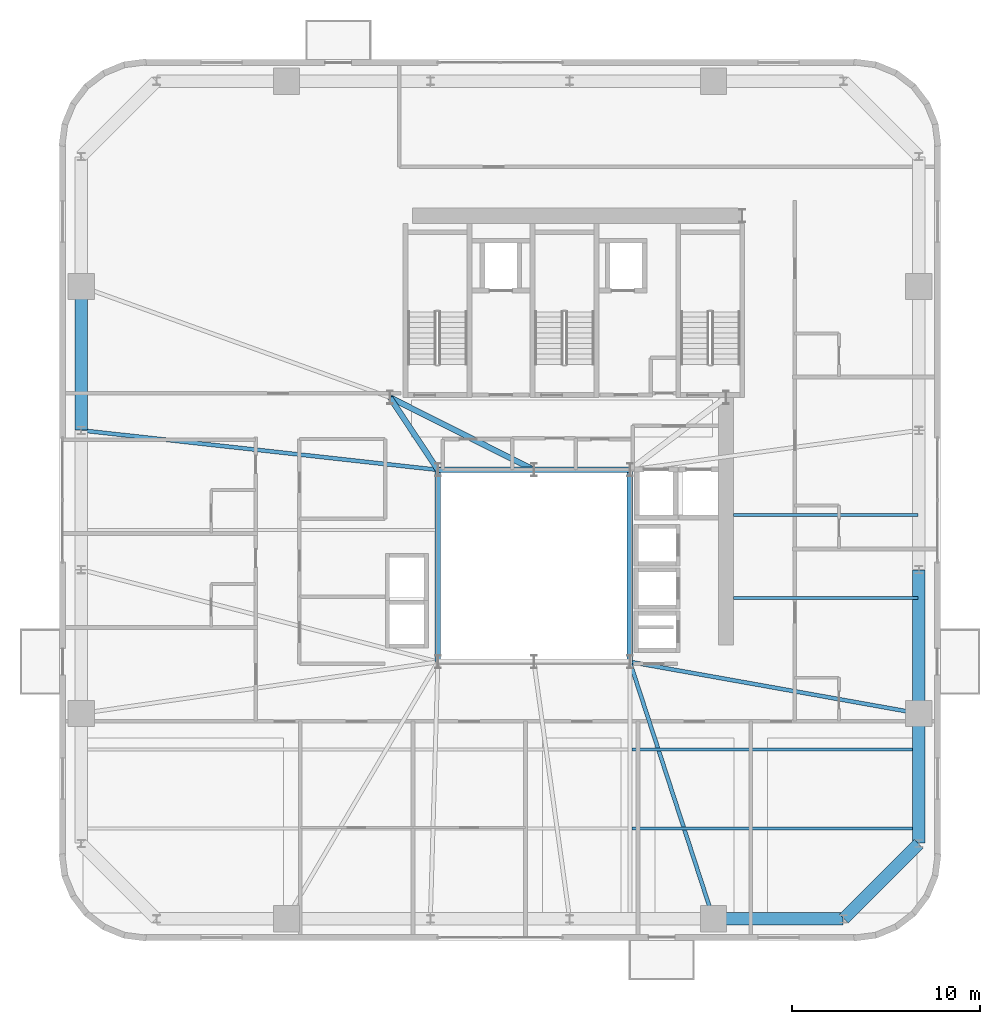
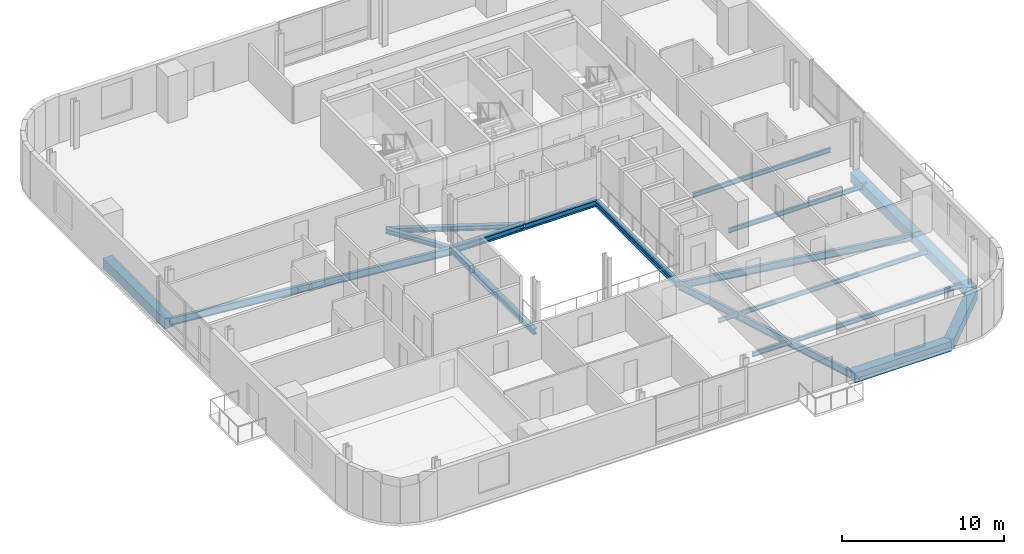
# One storey, part 4 of 15: 18 beams.
"""IFC4 building model written with IfcOpenShell, lengths in metres."""

import ifcopenshell
import ifcopenshell.guid

model = None  # the IFC model being written
_history = None  # IfcOwnerHistory: only IFC2X3 demands one
_inside = {}  # id of a spatial element -> (the spatial element, [elements in it])
_under = {}  # id of a project, library or spatial element -> (it, [spatial elements below it])
_declared = {}  # id of a project -> (the project, [libraries it declares])
_typed = {}  # id of a type object -> (the type object, [elements of that type])
_made_of = {}  # id of a material, layer set ... -> (it, [elements and type objects made of it])


def new_model(schema):
    """Start an empty IFC model of exactly this schema.

    Asked for "IFC4X3", IfcOpenShell would pick the latest addendum, in which some entities
    have other attributes; the version numbers below select the first issue.
    IFC2X3 requires an IfcOwnerHistory on every rooted entity: one is made here for all.
    """
    global model, _history
    if schema == "IFC4X3":
        model = ifcopenshell.file(schema_version=(4, 3, 0, 0))
    else:
        model = ifcopenshell.file(schema=schema)
    _inside.clear()
    _under.clear()
    _declared.clear()
    _typed.clear()
    _made_of.clear()
    _history = None
    if model.schema == "IFC2X3":
        org = make("IfcOrganization", Name="unknown")
        user = make(
            "IfcPersonAndOrganization",
            ThePerson=make("IfcPerson", FamilyName="unknown"),
            TheOrganization=org,
        )
        app = make(
            "IfcApplication",
            ApplicationDeveloper=org,
            Version="unknown",
            ApplicationFullName="unknown",
            ApplicationIdentifier="unknown",
        )
        _history = make(
            "IfcOwnerHistory",
            OwningUser=user,
            OwningApplication=app,
            ChangeAction="ADDED",
            CreationDate=0,
        )
    return model


def make(cls, **values):
    """One entity of the class cls with the attributes given. An attribute that is None is left unset."""
    return model.create_entity(
        cls, **{name: value for name, value in values.items() if value is not None}
    )


def rooted(cls, **values):
    """An entity with a GlobalId (a new one), such as an element, a storey or a relation."""
    return make(cls, GlobalId=ifcopenshell.guid.new(), OwnerHistory=_history, **values)


def si_unit(unit_type, name, prefix=None):
    """IfcSIUnit, for example si_unit("LENGTHUNIT", "METRE", prefix="MILLI")."""
    return make("IfcSIUnit", UnitType=unit_type, Prefix=prefix, Name=name)


def assignment(units):
    """IfcUnitAssignment: the units of a project."""
    return None if units is None else make("IfcUnitAssignment", Units=units)


def point(xyz):
    """IfcCartesianPoint."""
    return None if xyz is None else make("IfcCartesianPoint", Coordinates=xyz)


def direction(xyz):
    """IfcDirection."""
    return None if xyz is None else make("IfcDirection", DirectionRatios=xyz)


def frame(location, z_axis=None, x_axis=None):
    """IfcAxis2Placement3D, a coordinate frame: its origin and axes. An axis left out is left unset."""
    return make(
        "IfcAxis2Placement3D",
        Location=point(location),
        Axis=direction(z_axis),
        RefDirection=direction(x_axis),
    )


def frame_2d(location, x_axis=None):
    """IfcAxis2Placement2D, a coordinate frame in the plane: its origin and x axis."""
    return make(
        "IfcAxis2Placement2D", Location=point(location), RefDirection=direction(x_axis)
    )


def origin():
    """The frame at (0, 0, 0) with its axes left unset."""
    return frame((0.0, 0.0, 0.0))


def origin_2d():
    """The frame at (0, 0) in the plane with its x axis left unset."""
    return frame_2d((0.0, 0.0))


def place(relative_to, where):
    """IfcLocalPlacement: puts the frame where relative to a parent placement (None: the world)."""
    return make(
        "IfcLocalPlacement", PlacementRelTo=relative_to, RelativePlacement=where
    )


def context(
    kind, dimensions, precision=None, world=None, true_north=None, identifier=None
):
    """IfcGeometricRepresentationContext, for example the 3D "Model" context."""
    return make(
        "IfcGeometricRepresentationContext",
        ContextIdentifier=identifier,
        ContextType=kind,
        CoordinateSpaceDimension=dimensions,
        Precision=precision,
        WorldCoordinateSystem=world,
        TrueNorth=true_north,
    )


def subcontext(parent, identifier, kind, view, scale=None):
    """IfcGeometricRepresentationSubContext, for example "Body" below "Model"."""
    return make(
        "IfcGeometricRepresentationSubContext",
        ContextIdentifier=identifier,
        ContextType=kind,
        ParentContext=parent,
        TargetScale=scale,
        TargetView=view,
    )


def project(units=None, contexts=None):
    """IfcProject with its units and contexts."""
    return rooted(
        "IfcProject",
        Name="project",
        RepresentationContexts=contexts,
        UnitsInContext=assignment(units),
    )


def spatial(cls, under=None, at=None, **own):
    """A site, building, storey or space (cls), placed at a placement, below another one or the project."""
    s = rooted(cls, ObjectPlacement=at, **own)
    if under is not None:
        _under.setdefault(under.id(), (under, []))[1].append(s)
    return s


def profile(cls, at=None, kind="AREA", **sizes):
    """A parametric profile (cls). Its sizes go by their IFC names, for example OverallWidth=200.0."""
    return make(cls, ProfileType=kind, Position=at, **sizes)


def rectangle(**sizes):
    """IfcRectangleProfileDef."""
    return profile("IfcRectangleProfileDef", **sizes)


def i_section(**sizes):
    """IfcIShapeProfileDef."""
    return profile("IfcIShapeProfileDef", **sizes)


def extrude(swept, where, along, depth):
    """IfcExtrudedAreaSolid: the profile swept, set in the frame where, extruded along a direction by depth."""
    return make(
        "IfcExtrudedAreaSolid",
        SweptArea=swept,
        Position=where,
        ExtrudedDirection=direction(along),
        Depth=depth,
    )


def shape(context_of_items, identifier, shape_type, items):
    """IfcShapeRepresentation: the items that make up one representation, for example the "Body"."""
    return make(
        "IfcShapeRepresentation",
        ContextOfItems=context_of_items,
        RepresentationIdentifier=identifier,
        RepresentationType=shape_type,
        Items=items,
    )


def source(mapping_origin, context_of_items, identifier, shape_type, items):
    """IfcRepresentationMap: a shape defined once, which mapped items show again and again."""
    return make(
        "IfcRepresentationMap",
        MappingOrigin=mapping_origin,
        MappedRepresentation=shape(context_of_items, identifier, shape_type, items),
    )


def transform(
    local_origin,
    x_axis=None,
    y_axis=None,
    z_axis=None,
    scale=None,
    scale2=None,
    scale3=None,
    uniform=True,
):
    """IfcCartesianTransformationOperator3D, or its non-uniform kind. x_axis, y_axis, z_axis: its Axis1, 2, 3."""
    if uniform:
        return make(
            "IfcCartesianTransformationOperator3D",
            Axis1=direction(x_axis),
            Axis2=direction(y_axis),
            LocalOrigin=point(local_origin),
            Scale=scale,
            Axis3=direction(z_axis),
        )
    return make(
        "IfcCartesianTransformationOperator3DnonUniform",
        Axis1=direction(x_axis),
        Axis2=direction(y_axis),
        LocalOrigin=point(local_origin),
        Scale=scale,
        Axis3=direction(z_axis),
        Scale2=scale2,
        Scale3=scale3,
    )


def mapped(mapping_source, mapping_target):
    """IfcMappedItem: shows the shape of a source again, moved by a transform."""
    return make(
        "IfcMappedItem", MappingSource=mapping_source, MappingTarget=mapping_target
    )


def material(Name=None, Category=None):
    """IfcMaterial."""
    return make("IfcMaterial", Name=Name, Category=Category)


def material_profile(
    of_material, cross_section, Name=None, Category=None, Priority=None
):
    """IfcMaterialProfile: a cross section and its material."""
    return make(
        "IfcMaterialProfile",
        Name=Name,
        Material=of_material,
        Profile=cross_section,
        Priority=Priority,
        Category=Category,
    )


def profile_set(profiles, Name=None, composite=None):
    """IfcMaterialProfileSet."""
    return make(
        "IfcMaterialProfileSet",
        Name=Name,
        MaterialProfiles=profiles,
        CompositeProfile=composite,
    )


def made_of(thing, what):
    """Note that an element or type object is made of a material, layer set ...; save() writes the relation."""
    if what is not None:
        _made_of.setdefault(what.id(), (what, []))[1].append(thing)
    return thing


def type_object(cls, material=None, **own):
    """A type object (cls), such as IfcWallType, which elements share."""
    return made_of(rooted(cls, **own), material)


def element(
    cls,
    number,
    at=None,
    inside=None,
    cuts=None,
    type_object=None,
    material=None,
    context=None,
    identifier="Body",
    shape_type=None,
    held_by="IfcProductDefinitionShape",
    body=None,
    shapes=None,
    **own,
):
    """One element of the class cls, such as IfcWall. Its Tag is "e" and its number.

    at: its placement. inside: the storey or other place that contains it. cuts: it is an
    opening in that element (IfcRelVoidsElement). A single representation is given by context,
    identifier, shape_type and body (its items); several are given by shapes. held_by: the class
    of the entity that holds the representations. save() writes the other relations.
    """
    e = rooted(cls, Tag="e%d" % number, ObjectPlacement=at, **own)
    if body is not None:
        shapes = [shape(context, identifier, shape_type, body)]
    if shapes is not None:
        e.Representation = make(held_by, Representations=shapes)
    if inside is not None:
        _inside.setdefault(inside.id(), (inside, []))[1].append(e)
    if cuts is not None:
        rooted(
            "IfcRelVoidsElement", RelatingBuildingElement=cuts, RelatedOpeningElement=e
        )
    if type_object is not None:
        _typed.setdefault(type_object.id(), (type_object, []))[1].append(e)
    return made_of(e, material)


def aggregate(whole, parts):
    """IfcRelAggregates: a whole, such as a stair, and the parts it consists of."""
    return rooted("IfcRelAggregates", RelatingObject=whole, RelatedObjects=parts)


def save(model, path):
    """Write the relations noted so far, then the file.

    IfcRelAggregates (storeys below a building ...), IfcRelContainedInSpatialStructure (elements
    in a storey), IfcRelDefinesByType, IfcRelAssociatesMaterial and IfcRelDeclares: one each for
    every whole, place, type object, material and project.
    """
    for whole, parts in _under.values():
        aggregate(whole, parts)
    for where, things in _inside.values():
        rooted(
            "IfcRelContainedInSpatialStructure",
            RelatedElements=things,
            RelatingStructure=where,
        )
    for kind, things in _typed.values():
        rooted("IfcRelDefinesByType", RelatedObjects=things, RelatingType=kind)
    for what, things in _made_of.values():
        rooted("IfcRelAssociatesMaterial", RelatedObjects=things, RelatingMaterial=what)
    for by, libraries in _declared.values():
        rooted("IfcRelDeclares", RelatingContext=by, RelatedDefinitions=libraries)
    model.write(path)


model = new_model("IFC4")

# Units and contexts
model_context = context("Model", 3, precision=1e-05, world=origin(), true_north=direction((0.0, 1.0)))
body_context = subcontext(model_context, "Body", "Model", "MODEL_VIEW")
ifc_project = project(units=[si_unit("LENGTHUNIT", "METRE"), si_unit("AREAUNIT", "SQUARE_METRE"), si_unit("VOLUMEUNIT", "CUBIC_METRE"), si_unit("PLANEANGLEUNIT", "RADIAN"), si_unit("MASSUNIT", "GRAM", prefix="KILO")], contexts=[model_context])

# Site, building, storey
site_placement = place(None, origin())
site = spatial("IfcSite", under=ifc_project, at=site_placement, CompositionType="ELEMENT")
building_placement = place(site_placement, origin())
building = spatial("IfcBuilding", under=site, at=building_placement, Name="Vardaveli Station Tower", CompositionType="ELEMENT")
storey_placement = place(building_placement, frame((0.0, 0.0, 207.300048828125)))
storey = spatial("IfcBuildingStorey", under=building, at=storey_placement, Name="L53", CompositionType="ELEMENT", Elevation=207.300048828125)

# Beams
ifc_material_1 = material(Name="Structural steel S355J2", Category="steel")
ifc_material_profile_1 = material_profile(ifc_material_1, i_section(OverallWidth=0.300048828125, OverallDepth=0.449951171875, WebThickness=0.013916015625, FlangeThickness=0.02587890625, FilletRadius=0.027099609375, at=origin_2d()), Name="HEB 450")
ifc_profile_set_1 = profile_set([ifc_material_profile_1], Name="Structural steel S355J2")
beam_type_1 = type_object("IfcBeamType", Name="BM-HEB450", PredefinedType="BEAM", material=ifc_profile_set_1)
shared_shape_1 = source(origin(), body_context, "Body", "SweptSolid", [
    extrude(i_section(OverallWidth=0.300048828125, OverallDepth=0.449951171875, WebThickness=0.013916015625, FlangeThickness=0.02587890625, FilletRadius=0.027099609375, at=origin_2d()), origin(), (0.0, 0.0, 1.0), 5.06005859375),
])
beam_1_placement = place(storey_placement, frame((36.280029296875, 26.800048828125, -0.445068359375), z_axis=(-1.0, 0.0, 0.0), x_axis=(0.0, -1.0, 0.0)))
element("IfcBeam", 1, at=beam_1_placement, inside=storey, type_object=beam_type_1, Name="ABM-L53-05", PredefinedType="BEAM", context=body_context, shape_type="MappedRepresentation", body=[
    mapped(shared_shape_1, transform((0.0, 0.0, 0.0), scale=1.0)),
])
shared_shape_2 = source(origin(), body_context, "Body", "SweptSolid", [
    extrude(i_section(OverallWidth=0.300048828125, OverallDepth=0.449951171875, WebThickness=0.013916015625, FlangeThickness=0.02587890625, FilletRadius=0.027099609375, at=origin_2d()), origin(), (0.0, 0.0, 1.0), 5.059814453125),
])
beam_2_placement = place(storey_placement, frame((41.3798828125, 26.800048828125, -0.445068359375), z_axis=(-1.0, 0.0, 0.0), x_axis=(0.0, -1.0, 0.0)))
element("IfcBeam", 2, at=beam_2_placement, inside=storey, type_object=beam_type_1, Name="ABM-L53-04", PredefinedType="BEAM", context=body_context, shape_type="MappedRepresentation", body=[
    mapped(shared_shape_2, transform((0.0, 0.0, 0.0), scale=1.0)),
])
shared_shape_3 = source(origin(), body_context, "Body", "SweptSolid", [
    extrude(i_section(OverallWidth=0.300048828125, OverallDepth=0.449951171875, WebThickness=0.013916015625, FlangeThickness=0.02587890625, FilletRadius=0.027099609375, at=origin_2d()), origin(), (0.0, 0.0, 1.0), 10.159912109375),
])
for number, where, z_axis, x_axis, name in (
    (3, (41.39990234375, 16.6201171875, -0.445068359375), (0.0, 1.0, 0.0), (-1.0, 0.0, 0.0), "ABM-L53-03"),
    (4, (31.199951171875, 26.780029296875, -0.445068359375), (0.0, -1.0, 0.0), (1.0, 0.0, 0.0), "ABM-L53-06"),
):
    element("IfcBeam", number, at=place(storey_placement, frame(where, z_axis=z_axis, x_axis=x_axis)), inside=storey, type_object=beam_type_1, Name=name, PredefinedType="BEAM", context=body_context, shape_type="MappedRepresentation", body=[
        mapped(shared_shape_3, transform((0.0, 0.0, 0.0), scale=1.0)),
    ])
ifc_material_profile_2 = material_profile(ifc_material_1, i_section(OverallWidth=0.300048828125, OverallDepth=0.360107421875, WebThickness=0.012451171875, FlangeThickness=0.0224609375, FilletRadius=0.027099609375, at=origin_2d()), Name="HEB 360")
ifc_profile_set_2 = profile_set([ifc_material_profile_2], Name="Structural steel S355J2")
beam_type_2 = type_object("IfcBeamType", Name="BM-HEB360", PredefinedType="BEAM", material=ifc_profile_set_2)
shared_shape_4 = source(origin(), body_context, "Body", "SweptSolid", [
    extrude(i_section(OverallWidth=0.300048828125, OverallDepth=0.360107421875, WebThickness=0.012451171875, FlangeThickness=0.0224609375, FilletRadius=0.027099609375, at=origin_2d()), origin(), (0.0, 0.0, 1.0), 4.577880859375),
])
beam_3_placement = place(storey_placement, frame((31.18896484375, 26.816650390625, -0.400146484375), z_axis=(-0.55218702139, 0.833720272879, 0.0), x_axis=(-0.833720272879, -0.55218702139, 0.0)))
element("IfcBeam", 5, at=beam_3_placement, inside=storey, type_object=beam_type_2, Name="CBM-L53-01", PredefinedType="BEAM", context=body_context, shape_type="MappedRepresentation", body=[
    mapped(shared_shape_4, transform((0.0, 0.0, 0.0), scale=1.0)),
])
shared_shape_5 = source(origin(), body_context, "Body", "SweptSolid", [
    extrude(i_section(OverallWidth=0.300048828125, OverallDepth=0.360107421875, WebThickness=0.012451171875, FlangeThickness=0.0224609375, FilletRadius=0.027099609375, at=origin_2d()), origin(), (0.0, 0.0, 1.0), 8.524169921875),
])
beam_4_placement = place(storey_placement, frame((28.66796875, 30.64111328125, -0.400146484375), z_axis=(0.893255584708, -0.449549174605, 0.0), x_axis=(0.449549174605, 0.893255584708, 0.0)))
element("IfcBeam", 6, at=beam_4_placement, inside=storey, type_object=beam_type_2, Name="CBM-L53-03", PredefinedType="BEAM", context=body_context, shape_type="MappedRepresentation", body=[
    mapped(shared_shape_5, transform((0.0, 0.0, 0.0), scale=1.0)),
])
ifc_material_2 = material(Name="Precast concrete C45/55", Category="concrete")
ifc_material_profile_3 = material_profile(ifc_material_2, rectangle(XDim=0.64990234375, YDim=0.75, at=origin_2d()), Name="LPB 650x750")
ifc_profile_set_3 = profile_set([ifc_material_profile_3], Name="Precast concrete C45/55")
beam_type_3 = type_object("IfcBeamType", Name="BM-LPB-750", PredefinedType="BEAM", material=ifc_profile_set_3)
shared_shape_6 = source(origin(), body_context, "Body", "SweptSolid", [
    extrude(rectangle(XDim=0.64990234375, YDim=0.75, at=origin_2d()), origin(), (0.0, 0.0, 1.0), 7.60009765625),
])
for number, where, z_axis, x_axis, name in (
    (7, (56.75, 13.8798828125, -0.594970703125), (0.0, 1.0, 0.0), (-1.0, 0.0, 0.0), "RBM-L53-07"),
    (8, (12.25, 36.52001953125, -0.594970703125), (0.0, -1.0, 0.0), (1.0, 0.0, 0.0), "RBM-L53-19"),
):
    element("IfcBeam", number, at=place(storey_placement, frame(where, z_axis=z_axis, x_axis=x_axis)), inside=storey, type_object=beam_type_3, Name=name, PredefinedType="BEAM", context=body_context, shape_type="MappedRepresentation", body=[
        mapped(shared_shape_6, transform((0.0, 0.0, 0.0), scale=1.0)),
    ])
shared_shape_7 = source(origin(), body_context, "Body", "SweptSolid", [
    extrude(rectangle(XDim=0.64990234375, YDim=0.75, at=origin_2d()), origin(), (0.0, 0.0, 1.0), 6.869873046875),
])
beam_5_placement = place(storey_placement, frame((45.860107421875, 2.949951171875, -0.594970703125), z_axis=(1.0, 0.0, 0.0), x_axis=(0.0, 1.0, 0.0)))
element("IfcBeam", 9, at=beam_5_placement, inside=storey, type_object=beam_type_3, Name="RBM-L53-04", PredefinedType="BEAM", context=body_context, shape_type="MappedRepresentation", body=[
    mapped(shared_shape_7, transform((0.0, 0.0, 0.0), scale=1.0)),
])
shared_shape_8 = source(origin(), body_context, "Body", "SweptSolid", [
    extrude(rectangle(XDim=0.64990234375, YDim=0.75, at=origin_2d()), origin(), (0.0, 0.0, 1.0), 5.61669921875),
])
beam_6_placement = place(storey_placement, frame((52.76416015625, 2.964111328125, -0.594970703125), z_axis=(0.707106781187, 0.707106781187, 0.0), x_axis=(-0.707106781187, 0.707106781187, 0.0)))
element("IfcBeam", 10, at=beam_6_placement, inside=storey, type_object=beam_type_3, Name="RBM-L53-05", PredefinedType="BEAM", context=body_context, shape_type="MappedRepresentation", body=[
    mapped(shared_shape_8, transform((0.0, 0.0, 0.0), scale=1.0)),
])
shared_shape_9 = source(origin(), body_context, "Body", "SweptSolid", [
    extrude(rectangle(XDim=0.64990234375, YDim=0.75, at=origin_2d()), origin(), (0.0, 0.0, 1.0), 6.8701171875),
])
beam_7_placement = place(storey_placement, frame((56.75, 6.969970703125, -0.594970703125), z_axis=(0.0, 1.0, 0.0), x_axis=(-1.0, 0.0, 0.0)))
element("IfcBeam", 11, at=beam_7_placement, inside=storey, type_object=beam_type_3, Name="RBM-L53-06", PredefinedType="BEAM", context=body_context, shape_type="MappedRepresentation", body=[
    mapped(shared_shape_9, transform((0.0, 0.0, 0.0), scale=1.0)),
])
ifc_material_profile_4 = material_profile(ifc_material_1, i_section(OverallWidth=0.159912109375, OverallDepth=0.330078125, WebThickness=0.007568359375, FlangeThickness=0.011474609375, FilletRadius=0.01806640625, at=origin_2d()), Name="IPE 330")
ifc_profile_set_4 = profile_set([ifc_material_profile_4], Name="Structural steel S355J2")
beam_type_4 = type_object("IfcBeamType", Name="BM-IPE330", PredefinedType="JOIST", material=ifc_profile_set_4)
shared_shape_10 = source(origin(), body_context, "Body", "SweptSolid", [
    extrude(i_section(OverallWidth=0.159912109375, OverallDepth=0.330078125, WebThickness=0.007568359375, FlangeThickness=0.011474609375, FilletRadius=0.01806640625, at=origin_2d()), origin(), (0.0, 0.0, 1.0), 15.197998046875),
])
for number, where, z_axis, x_axis, name in (
    (12, (41.511962890625, 7.75, -0.385009765625), (1.0, 0.0, 0.0), (0.0, 1.0, 0.0), "SJ-L53-S02"),
    (13, (41.511962890625, 11.949951171875, -0.385009765625), (1.0, 0.0, 0.0), (0.0, 1.0, 0.0), "SJ-L53-S04"),
):
    element("IfcBeam", number, at=place(storey_placement, frame(where, z_axis=z_axis, x_axis=x_axis)), inside=storey, type_object=beam_type_4, Name=name, PredefinedType="JOIST", context=body_context, shape_type="MappedRepresentation", body=[
        mapped(shared_shape_10, transform((0.0, 0.0, 0.0), scale=1.0)),
    ])
shared_shape_11 = source(origin(), body_context, "Body", "SweptSolid", [
    extrude(i_section(OverallWidth=0.159912109375, OverallDepth=0.330078125, WebThickness=0.007568359375, FlangeThickness=0.011474609375, FilletRadius=0.01806640625, at=origin_2d()), origin(), (0.0, 0.0, 1.0), 9.804931640625),
])
for number, where, z_axis, x_axis, name in (
    (14, (46.905029296875, 20.0, -0.385009765625), (1.0, 0.0, 0.0), (0.0, 1.0, 0.0), "SJ-L53-E07"),
    (15, (46.905029296875, 24.39990234375, -0.385009765625), (1.0, 0.0, 0.0), (0.0, 1.0, 0.0), "SJ-L53-E08"),
):
    element("IfcBeam", number, at=place(storey_placement, frame(where, z_axis=z_axis, x_axis=x_axis)), inside=storey, type_object=beam_type_4, Name=name, PredefinedType="JOIST", context=body_context, shape_type="MappedRepresentation", body=[
        mapped(shared_shape_11, transform((0.0, 0.0, 0.0), scale=1.0)),
    ])
ifc_material_profile_5 = material_profile(ifc_material_1, i_section(OverallWidth=0.2099609375, OverallDepth=0.550048828125, WebThickness=0.010986328125, FlangeThickness=0.01708984375, FilletRadius=0.02392578125, at=origin_2d()), Name="IPE 550")
ifc_profile_set_5 = profile_set([ifc_material_profile_5], Name="Structural steel S355J2")
beam_type_5 = type_object("IfcBeamType", Name="BM-IPE550", PredefinedType="BEAM", material=ifc_profile_set_5)
shared_shape_12 = source(origin(), body_context, "Body", "SweptSolid", [
    extrude(i_section(OverallWidth=0.2099609375, OverallDepth=0.550048828125, WebThickness=0.010986328125, FlangeThickness=0.01708984375, FilletRadius=0.02392578125, at=origin_2d()), origin(), (0.0, 0.0, 1.0), 14.31396484375),
])
beam_8_placement = place(storey_placement, frame((45.833740234375, 2.968994140625, -0.4951171875), z_axis=(-0.309311678023, 0.950960717295, 0.0), x_axis=(-0.950960717295, -0.309311678023, 0.0)))
element("IfcBeam", 16, at=beam_8_placement, inside=storey, type_object=beam_type_5, Name="GBM-L53-04", PredefinedType="BEAM", context=body_context, shape_type="MappedRepresentation", body=[
    mapped(shared_shape_12, transform((0.0, 0.0, 0.0), scale=1.0)),
])
shared_shape_13 = source(origin(), body_context, "Body", "SweptSolid", [
    extrude(i_section(OverallWidth=0.2099609375, OverallDepth=0.550048828125, WebThickness=0.010986328125, FlangeThickness=0.01708984375, FilletRadius=0.02392578125, at=origin_2d()), origin(), (0.0, 0.0, 1.0), 15.552490234375),
])
beam_9_placement = place(storey_placement, frame((56.730224609375, 13.863525390625, -0.4951171875), z_axis=(-0.984439991578, 0.1757210943, 0.0), x_axis=(-0.1757210943, -0.984439991578, 0.0)))
element("IfcBeam", 17, at=beam_9_placement, inside=storey, type_object=beam_type_5, Name="GBM-L53-05", PredefinedType="BEAM", context=body_context, shape_type="MappedRepresentation", body=[
    mapped(shared_shape_13, transform((0.0, 0.0, 0.0), scale=1.0)),
])
shared_shape_14 = source(origin(), body_context, "Body", "SweptSolid", [
    extrude(i_section(OverallWidth=0.2099609375, OverallDepth=0.550048828125, WebThickness=0.010986328125, FlangeThickness=0.01708984375, FilletRadius=0.02392578125, at=origin_2d()), origin(), (0.0, 0.0, 1.0), 19.026123046875),
])
beam_10_placement = place(storey_placement, frame((12.269775390625, 28.897705078125, -0.4951171875), z_axis=(0.993916552721, -0.110135762707, 0.0), x_axis=(0.110135762707, 0.993916552721, 0.0)))
element("IfcBeam", 18, at=beam_10_placement, inside=storey, type_object=beam_type_5, Name="GBM-L53-08", PredefinedType="BEAM", context=body_context, shape_type="MappedRepresentation", body=[
    mapped(shared_shape_14, transform((0.0, 0.0, 0.0), scale=1.0)),
])

save(model, "model.ifc")
